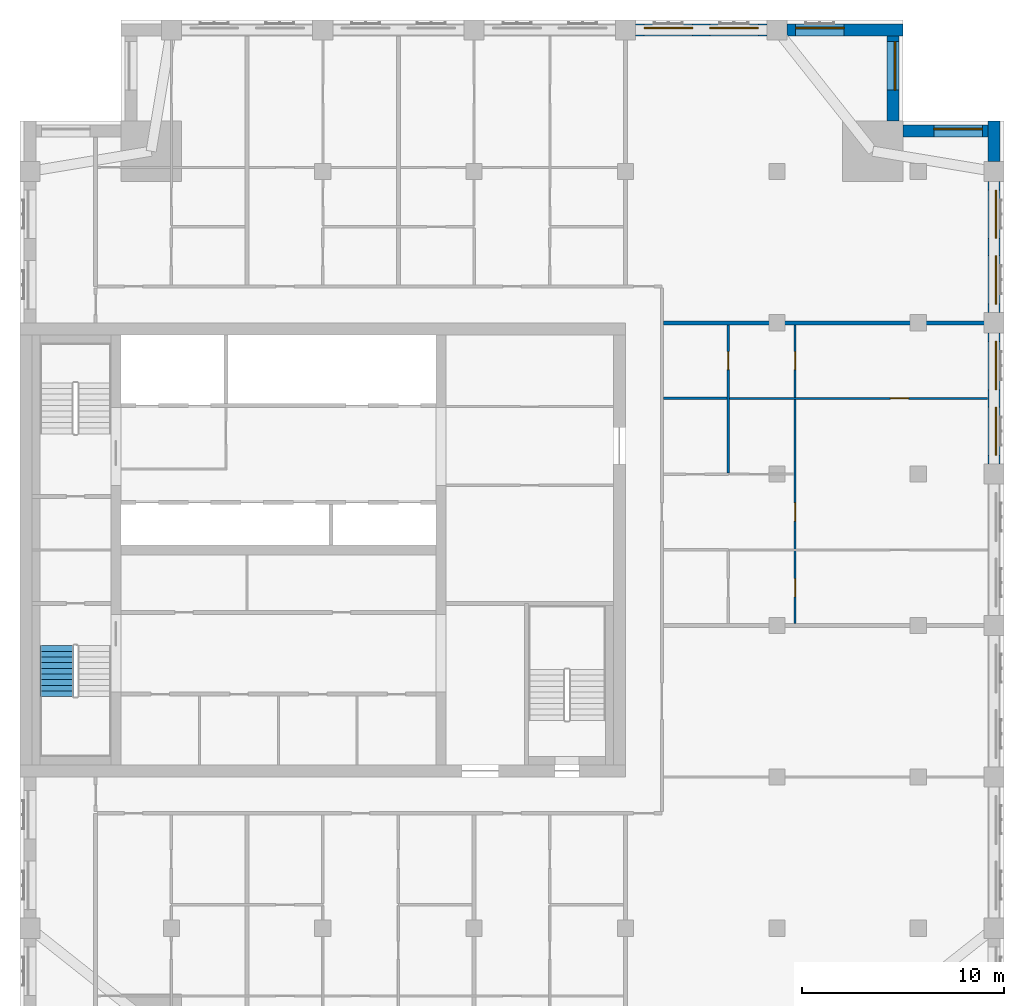
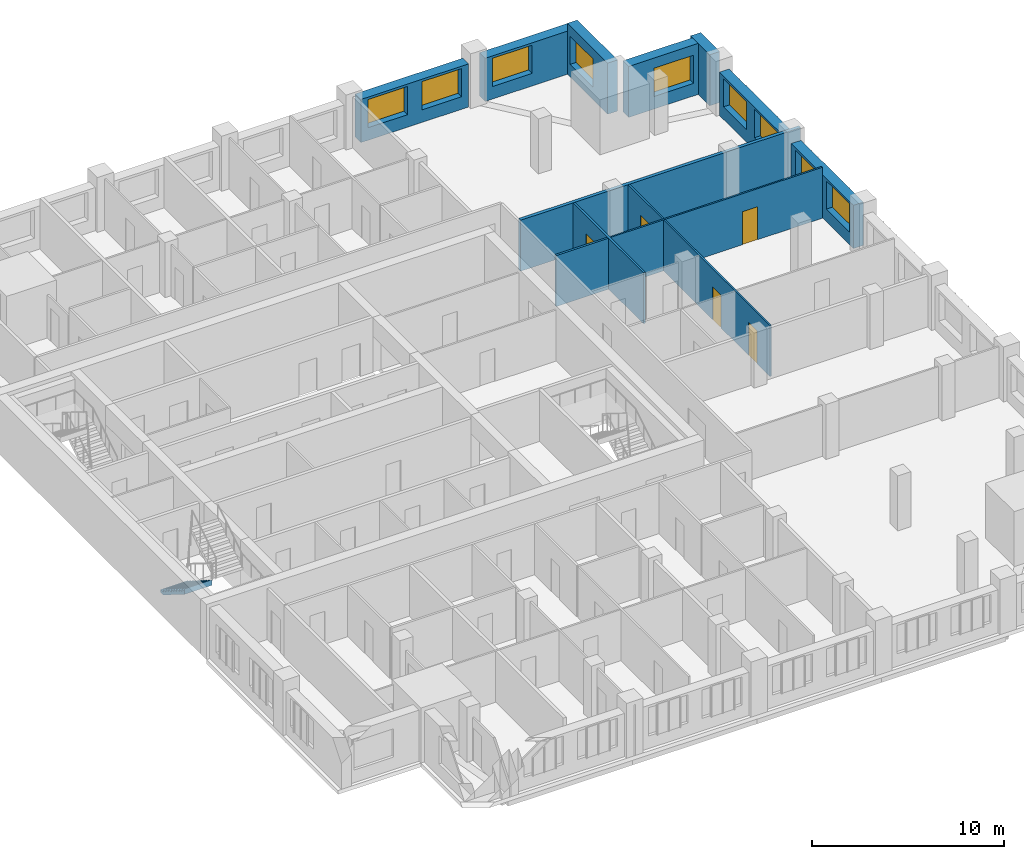
# One storey, part 8 of 11: 12 walls, 9 windows, 5 doors, 1 stair flight, 14 openings, 1 element without a shape of its own.
"""IFC4 building model written with IfcOpenShell, lengths in metres."""

from ifc_helpers import new_model, si_unit, direction, frame, frame_2d, origin, place, context, subcontext, project, spatial, polyline, rectangle, outline, extrude, material, layer, layer_set, type_object, element, fill, aggregate, save


model = new_model("IFC4")

# Units and contexts
model_context = context("Model", 3, precision=1e-05, world=origin(), true_north=direction((0.0, 1.0)))
body_context = subcontext(model_context, "Body", "Model", "MODEL_VIEW")
ifc_project = project(units=[si_unit("LENGTHUNIT", "METRE"), si_unit("AREAUNIT", "SQUARE_METRE"), si_unit("VOLUMEUNIT", "CUBIC_METRE"), si_unit("PLANEANGLEUNIT", "RADIAN"), si_unit("MASSUNIT", "GRAM", prefix="KILO")], contexts=[model_context])

# Site, building, storey
site_placement = place(None, origin())
site = spatial("IfcSite", under=ifc_project, at=site_placement, CompositionType="ELEMENT")
building_placement = place(site_placement, origin())
building = spatial("IfcBuilding", under=site, at=building_placement, Name="Tamorin Gate", CompositionType="ELEMENT")
storey_placement = place(building_placement, frame((0.0, 0.0, 230.199951171875)))
storey = spatial("IfcBuildingStorey", under=building, at=storey_placement, Name="L57", CompositionType="ELEMENT", Elevation=230.199951171875)

# Wall, openings, windows
ifc_material_1 = material(Name="Precast concrete C40/50", Category="concrete")
ifc_layer_1 = layer(ifc_material_1, 0.60009765625)
ifc_layer_set_1 = layer_set([ifc_layer_1], Name="Precast concrete C40/50")
wall_type_1 = type_object("IfcWallType", Name="Board-marked concrete facade panel 600", PredefinedType="SOLIDWALL", material=ifc_layer_set_1)
wall_1_placement = place(storey_placement, frame((78.25, 75.5, 0.0), z_axis=(0.0, 0.0, 1.0), x_axis=(0.0, 1.0, 0.0)))
wall_1 = element("IfcWall", 1, at=wall_1_placement, inside=storey, type_object=wall_type_1, Name="Facade panel", PredefinedType="SOLIDWALL", context=body_context, shape_type="SweptSolid", body=[
    extrude(rectangle(XDim=6.5, YDim=0.60009765625, at=frame_2d((3.25, 0.0))), origin(), (0.0, 0.0, 1.0), 2.75),
])
opening_1_placement = place(wall_1_placement, frame((0.425048828125, 0.0, 0.800048828125)))
opening_1 = element("IfcOpeningElement", 2, at=opening_1_placement, cuts=wall_1, Name="Opening WN1", PredefinedType="OPENING", context=body_context, shape_type="SweptSolid", body=[
    extrude(rectangle(XDim=2.39990234375, YDim=1.800048828125, at=frame_2d((1.199951171875, 0.89990234375))), frame((0.0, 0.31005859375, 0.0), z_axis=(0.0, -1.0, 0.0), x_axis=(1.0, 0.0, 0.0)), (0.0, 0.0, 1.0), 0.6201171875),
])
opening_2_placement = place(wall_1_placement, frame((3.675048828125, 0.0, 0.800048828125)))
opening_2 = element("IfcOpeningElement", 3, at=opening_2_placement, cuts=wall_1, Name="Opening WN1", PredefinedType="OPENING", context=body_context, shape_type="SweptSolid", body=[
    extrude(rectangle(XDim=2.39990234375, YDim=1.800048828125, at=frame_2d((1.199951171875, 0.89990234375))), frame((0.0, 0.31005859375, 0.0), z_axis=(0.0, -1.0, 0.0), x_axis=(1.0, 0.0, 0.0)), (0.0, 0.0, 1.0), 0.6201171875),
])
ifc_material_2 = material(Name="Clear glass in aluminium frame", Category="aluminium")
window_type = type_object("IfcWindowType", Name="Deep-set window 2400x1800", PartitioningType="SINGLE_PANEL", PredefinedType="WINDOW", material=ifc_material_2)
window_1_placement = place(opening_1_placement, origin())
window_1 = element("IfcWindow", 4, at=window_1_placement, inside=storey, type_object=window_type, Name="Deep-set window", OverallHeight=1.800048828125, OverallWidth=2.39990234375, PartitioningType="SINGLE_PANEL", PredefinedType="WINDOW", context=body_context, shape_type="SweptSolid", body=[
    extrude(rectangle(XDim=2.39990234375, YDim=1.800048828125, at=frame_2d((1.199951171875, 0.89990234375))), frame((0.0, -0.070068359375, 0.0), z_axis=(0.0, -1.0, 0.0), x_axis=(1.0, 0.0, 0.0)), (0.0, 0.0, 1.0), 0.06005859375),
])
fill(opening_1, window_1)
window_2_placement = place(opening_2_placement, origin())
window_2 = element("IfcWindow", 5, at=window_2_placement, inside=storey, type_object=window_type, Name="Deep-set window", OverallHeight=1.800048828125, OverallWidth=2.39990234375, PartitioningType="SINGLE_PANEL", PredefinedType="WINDOW", context=body_context, shape_type="SweptSolid", body=[
    extrude(rectangle(XDim=2.39990234375, YDim=1.800048828125, at=frame_2d((1.199951171875, 0.89990234375))), frame((0.0, -0.070068359375, 0.0), z_axis=(0.0, -1.0, 0.0), x_axis=(1.0, 0.0, 0.0)), (0.0, 0.0, 1.0), 0.06005859375),
])
fill(opening_2, window_2)

wall_2_placement = place(storey_placement, frame((78.25, 83.0, 0.0), z_axis=(0.0, 0.0, 1.0), x_axis=(0.0, 1.0, 0.0)))
wall_2 = element("IfcWall", 6, at=wall_2_placement, inside=storey, type_object=wall_type_1, Name="Facade panel", PredefinedType="SOLIDWALL", context=body_context, shape_type="SweptSolid", body=[
    extrude(rectangle(XDim=6.5, YDim=0.60009765625, at=frame_2d((3.25, 0.0))), origin(), (0.0, 0.0, 1.0), 2.75),
])
opening_3_placement = place(wall_2_placement, frame((0.425048828125, 0.0, 0.800048828125)))
opening_3 = element("IfcOpeningElement", 7, at=opening_3_placement, cuts=wall_2, Name="Opening WN1", PredefinedType="OPENING", context=body_context, shape_type="SweptSolid", body=[
    extrude(rectangle(XDim=2.39990234375, YDim=1.800048828125, at=frame_2d((1.199951171875, 0.89990234375))), frame((0.0, 0.31005859375, 0.0), z_axis=(0.0, -1.0, 0.0), x_axis=(1.0, 0.0, 0.0)), (0.0, 0.0, 1.0), 0.6201171875),
])
opening_4_placement = place(wall_2_placement, frame((3.675048828125, 0.0, 0.800048828125)))
opening_4 = element("IfcOpeningElement", 8, at=opening_4_placement, cuts=wall_2, Name="Opening WN1", PredefinedType="OPENING", context=body_context, shape_type="SweptSolid", body=[
    extrude(rectangle(XDim=2.39990234375, YDim=1.800048828125, at=frame_2d((1.199951171875, 0.89990234375))), frame((0.0, 0.31005859375, 0.0), z_axis=(0.0, -1.0, 0.0), x_axis=(1.0, 0.0, 0.0)), (0.0, 0.0, 1.0), 0.6201171875),
])
window_3_placement = place(opening_3_placement, origin())
window_3 = element("IfcWindow", 9, at=window_3_placement, inside=storey, type_object=window_type, Name="Deep-set window", OverallHeight=1.800048828125, OverallWidth=2.39990234375, PartitioningType="SINGLE_PANEL", PredefinedType="WINDOW", context=body_context, shape_type="SweptSolid", body=[
    extrude(rectangle(XDim=2.39990234375, YDim=1.800048828125, at=frame_2d((1.199951171875, 0.89990234375))), frame((0.0, -0.070068359375, 0.0), z_axis=(0.0, -1.0, 0.0), x_axis=(1.0, 0.0, 0.0)), (0.0, 0.0, 1.0), 0.06005859375),
])
fill(opening_3, window_3)
window_4_placement = place(opening_4_placement, origin())
window_4 = element("IfcWindow", 10, at=window_4_placement, inside=storey, type_object=window_type, Name="Deep-set window", OverallHeight=1.800048828125, OverallWidth=2.39990234375, PartitioningType="SINGLE_PANEL", PredefinedType="WINDOW", context=body_context, shape_type="SweptSolid", body=[
    extrude(rectangle(XDim=2.39990234375, YDim=1.800048828125, at=frame_2d((1.199951171875, 0.89990234375))), frame((0.0, -0.070068359375, 0.0), z_axis=(0.0, -1.0, 0.0), x_axis=(1.0, 0.0, 0.0)), (0.0, 0.0, 1.0), 0.06005859375),
])
fill(opening_4, window_4)

# Wall
wall_3_placement = place(storey_placement, frame((78.25, 90.5, 0.0), z_axis=(0.0, 0.0, 1.0), x_axis=(0.0, 1.0, 0.0)))
element("IfcWall", 11, at=wall_3_placement, inside=storey, type_object=wall_type_1, Name="Facade panel", PredefinedType="SOLIDWALL", context=body_context, shape_type="SweptSolid", body=[
    extrude(rectangle(XDim=2.0, YDim=0.60009765625, at=frame_2d((1.0, 0.0))), origin(), (0.0, 0.0, 1.0), 3.25),
])

# Wall, opening, window
wall_4_placement = place(storey_placement, frame((77.949951171875, 92.0, 0.0), z_axis=(0.0, 0.0, 1.0), x_axis=(-1.0, 0.0, 0.0)))
wall_4 = element("IfcWall", 12, at=wall_4_placement, inside=storey, type_object=wall_type_1, Name="Facade panel", PredefinedType="SOLIDWALL", context=body_context, shape_type="SweptSolid", body=[
    extrude(rectangle(XDim=4.199951171875, YDim=0.60009765625, at=frame_2d((2.10009765625, 0.0))), origin(), (0.0, 0.0, 1.0), 3.25),
])
opening_5_placement = place(wall_4_placement, frame((0.27490234375, 0.0, 0.800048828125)))
opening_5 = element("IfcOpeningElement", 13, at=opening_5_placement, cuts=wall_4, Name="Opening WN1", PredefinedType="OPENING", context=body_context, shape_type="SweptSolid", body=[
    extrude(rectangle(XDim=2.39990234375, YDim=1.800048828125, at=frame_2d((1.199951171875, 0.89990234375))), frame((0.0, 0.31005859375, 0.0), z_axis=(0.0, -1.0, 0.0), x_axis=(1.0, 0.0, 0.0)), (0.0, 0.0, 1.0), 0.6201171875),
])
window_5_placement = place(opening_5_placement, origin())
window_5 = element("IfcWindow", 14, at=window_5_placement, inside=storey, type_object=window_type, Name="Deep-set window", OverallHeight=1.800048828125, OverallWidth=2.39990234375, PartitioningType="SINGLE_PANEL", PredefinedType="WINDOW", context=body_context, shape_type="SweptSolid", body=[
    extrude(rectangle(XDim=2.39990234375, YDim=1.800048828125, at=frame_2d((1.199951171875, 0.89990234375))), frame((0.0, -0.070068359375, 0.0), z_axis=(0.0, -1.0, 0.0), x_axis=(1.0, 0.0, 0.0)), (0.0, 0.0, 1.0), 0.06005859375),
])
fill(opening_5, window_5)

wall_5_placement = place(storey_placement, frame((73.25, 92.5, 0.0), z_axis=(0.0, 0.0, 1.0), x_axis=(0.0, 1.0, 0.0)))
wall_5 = element("IfcWall", 15, at=wall_5_placement, inside=storey, type_object=wall_type_1, Name="Facade panel", PredefinedType="SOLIDWALL", context=body_context, shape_type="SweptSolid", body=[
    extrude(rectangle(XDim=4.199951171875, YDim=0.60009765625, at=frame_2d((2.10009765625, 0.0))), origin(), (0.0, 0.0, 1.0), 3.25),
])
opening_6_placement = place(wall_5_placement, frame((1.52490234375, 0.0, 0.800048828125)))
opening_6 = element("IfcOpeningElement", 16, at=opening_6_placement, cuts=wall_5, Name="Opening WN1", PredefinedType="OPENING", context=body_context, shape_type="SweptSolid", body=[
    extrude(rectangle(XDim=2.39990234375, YDim=1.800048828125, at=frame_2d((1.199951171875, 0.89990234375))), frame((0.0, 0.31005859375, 0.0), z_axis=(0.0, -1.0, 0.0), x_axis=(1.0, 0.0, 0.0)), (0.0, 0.0, 1.0), 0.6201171875),
])
window_6_placement = place(opening_6_placement, origin())
window_6 = element("IfcWindow", 17, at=window_6_placement, inside=storey, type_object=window_type, Name="Deep-set window", OverallHeight=1.800048828125, OverallWidth=2.39990234375, PartitioningType="SINGLE_PANEL", PredefinedType="WINDOW", context=body_context, shape_type="SweptSolid", body=[
    extrude(rectangle(XDim=2.39990234375, YDim=1.800048828125, at=frame_2d((1.199951171875, 0.89990234375))), frame((0.0, -0.070068359375, 0.0), z_axis=(0.0, -1.0, 0.0), x_axis=(1.0, 0.0, 0.0)), (0.0, 0.0, 1.0), 0.06005859375),
])
fill(opening_6, window_6)

wall_6_placement = place(storey_placement, frame((73.75, 97.0, 0.0), z_axis=(0.0, 0.0, 1.0), x_axis=(-1.0, 0.0, 0.0)))
wall_6 = element("IfcWall", 18, at=wall_6_placement, inside=storey, type_object=wall_type_1, Name="Facade panel", PredefinedType="SOLIDWALL", context=body_context, shape_type="SweptSolid", body=[
    extrude(rectangle(XDim=5.75, YDim=0.60009765625, at=frame_2d((2.875, 0.0))), origin(), (0.0, 0.0, 1.0), 2.75),
])
opening_7_placement = place(wall_6_placement, frame((2.925048828125, 0.0, 0.800048828125)))
opening_7 = element("IfcOpeningElement", 19, at=opening_7_placement, cuts=wall_6, Name="Opening WN1", PredefinedType="OPENING", context=body_context, shape_type="SweptSolid", body=[
    extrude(rectangle(XDim=2.39990234375, YDim=1.800048828125, at=frame_2d((1.199951171875, 0.89990234375))), frame((0.0, 0.31005859375, 0.0), z_axis=(0.0, -1.0, 0.0), x_axis=(1.0, 0.0, 0.0)), (0.0, 0.0, 1.0), 0.6201171875),
])
window_7_placement = place(opening_7_placement, origin())
window_7 = element("IfcWindow", 20, at=window_7_placement, inside=storey, type_object=window_type, Name="Deep-set window", OverallHeight=1.800048828125, OverallWidth=2.39990234375, PartitioningType="SINGLE_PANEL", PredefinedType="WINDOW", context=body_context, shape_type="SweptSolid", body=[
    extrude(rectangle(XDim=2.39990234375, YDim=1.800048828125, at=frame_2d((1.199951171875, 0.89990234375))), frame((0.0, -0.070068359375, 0.0), z_axis=(0.0, -1.0, 0.0), x_axis=(1.0, 0.0, 0.0)), (0.0, 0.0, 1.0), 0.06005859375),
])
fill(opening_7, window_7)

# Wall, openings, windows
wall_7_placement = place(storey_placement, frame((67.0, 97.0, 0.0), z_axis=(0.0, 0.0, 1.0), x_axis=(-1.0, 0.0, 0.0)))
wall_7 = element("IfcWall", 21, at=wall_7_placement, inside=storey, type_object=wall_type_1, Name="Facade panel", PredefinedType="SOLIDWALL", context=body_context, shape_type="SweptSolid", body=[
    extrude(rectangle(XDim=6.5, YDim=0.60009765625, at=frame_2d((3.25, 0.0))), origin(), (0.0, 0.0, 1.0), 2.75),
])
opening_8_placement = place(wall_7_placement, frame((3.675048828125, 0.0, 0.800048828125)))
opening_8 = element("IfcOpeningElement", 22, at=opening_8_placement, cuts=wall_7, Name="Opening WN1", PredefinedType="OPENING", context=body_context, shape_type="SweptSolid", body=[
    extrude(rectangle(XDim=2.39990234375, YDim=1.800048828125, at=frame_2d((1.199951171875, 0.89990234375))), frame((0.0, 0.31005859375, 0.0), z_axis=(0.0, -1.0, 0.0), x_axis=(1.0, 0.0, 0.0)), (0.0, 0.0, 1.0), 0.6201171875),
])
opening_9_placement = place(wall_7_placement, frame((0.425048828125, 0.0, 0.800048828125)))
opening_9 = element("IfcOpeningElement", 23, at=opening_9_placement, cuts=wall_7, Name="Opening WN1", PredefinedType="OPENING", context=body_context, shape_type="SweptSolid", body=[
    extrude(rectangle(XDim=2.39990234375, YDim=1.800048828125, at=frame_2d((1.199951171875, 0.89990234375))), frame((0.0, 0.31005859375, 0.0), z_axis=(0.0, -1.0, 0.0), x_axis=(1.0, 0.0, 0.0)), (0.0, 0.0, 1.0), 0.6201171875),
])
window_8_placement = place(opening_8_placement, origin())
window_8 = element("IfcWindow", 24, at=window_8_placement, inside=storey, type_object=window_type, Name="Deep-set window", OverallHeight=1.800048828125, OverallWidth=2.39990234375, PartitioningType="SINGLE_PANEL", PredefinedType="WINDOW", context=body_context, shape_type="SweptSolid", body=[
    extrude(rectangle(XDim=2.39990234375, YDim=1.800048828125, at=frame_2d((1.199951171875, 0.89990234375))), frame((0.0, -0.070068359375, 0.0), z_axis=(0.0, -1.0, 0.0), x_axis=(1.0, 0.0, 0.0)), (0.0, 0.0, 1.0), 0.06005859375),
])
fill(opening_8, window_8)
window_9_placement = place(opening_9_placement, origin())
window_9 = element("IfcWindow", 25, at=window_9_placement, inside=storey, type_object=window_type, Name="Deep-set window", OverallHeight=1.800048828125, OverallWidth=2.39990234375, PartitioningType="SINGLE_PANEL", PredefinedType="WINDOW", context=body_context, shape_type="SweptSolid", body=[
    extrude(rectangle(XDim=2.39990234375, YDim=1.800048828125, at=frame_2d((1.199951171875, 0.89990234375))), frame((0.0, -0.070068359375, 0.0), z_axis=(0.0, -1.0, 0.0), x_axis=(1.0, 0.0, 0.0)), (0.0, 0.0, 1.0), 0.06005859375),
])
fill(opening_9, window_9)

# Wall
ifc_material_3 = material(Name="Gypsum board partition")
ifc_layer_2 = layer(ifc_material_3, 0.199951171875)
ifc_layer_set_2 = layer_set([ifc_layer_2], Name="Demising wall 200")
wall_type_2 = type_object("IfcWallType", Name="Demising wall 200", PredefinedType="PARTITIONING", material=ifc_layer_set_2)
wall_8_placement = place(storey_placement, frame((61.875, 82.5, 0.0), z_axis=(0.0, 0.0, 1.0), x_axis=(1.0, 0.0, 0.0)))
element("IfcWall", 26, at=wall_8_placement, inside=storey, type_object=wall_type_2, Name="Demising wall 200", PredefinedType="PARTITIONING", context=body_context, shape_type="SweptSolid", body=[
    extrude(rectangle(XDim=16.875, YDim=0.199951171875, at=frame_2d((8.4375, 0.0))), origin(), (0.0, 0.0, 1.0), 3.25),
])

# Wall, opening, door
ifc_layer_3 = layer(ifc_material_3, 0.10009765625)
ifc_layer_set_3 = layer_set([ifc_layer_3], Name="Room partition 100")
wall_type_3 = type_object("IfcWallType", Name="Room partition 100", PredefinedType="PARTITIONING", material=ifc_layer_set_3)
wall_9_placement = place(storey_placement, frame((65.16259765625, 78.75, 0.0), z_axis=(0.0, 0.0, 1.0), x_axis=(1.0, 0.0, 0.0)))
wall_9 = element("IfcWall", 27, at=wall_9_placement, inside=storey, type_object=wall_type_3, Name="Room partition 100", PredefinedType="PARTITIONING", context=body_context, shape_type="SweptSolid", body=[
    extrude(rectangle(XDim=12.77734375, YDim=0.10009765625, at=frame_2d((6.388671875, 0.0))), origin(), (0.0, 0.0, 1.0), 3.25),
])
opening_10_placement = place(wall_9_placement, frame((7.96240234375, 0.0, 0.0)))
opening_10 = element("IfcOpeningElement", 28, at=opening_10_placement, cuts=wall_9, Name="Opening DR7051", PredefinedType="OPENING", context=body_context, shape_type="SweptSolid", body=[
    extrude(rectangle(XDim=0.89990234375, YDim=2.10009765625, at=frame_2d((0.449951171875, 1.050048828125))), frame((0.0, 0.06005859375, 0.0), z_axis=(0.0, -1.0, 0.0), x_axis=(1.0, 0.0, 0.0)), (0.0, 0.0, 1.0), 0.1201171875),
])
ifc_material_4 = material(Name="Timber door leaf", Category="wood")
door_type = type_object("IfcDoorType", Name="Door 900 x 2100", OperationType="NOTDEFINED", PredefinedType="DOOR", material=ifc_material_4)
door_1_placement = place(opening_10_placement, origin())
door_1 = element("IfcDoor", 29, at=door_1_placement, inside=storey, type_object=door_type, Name="Door DR7051", OperationType="SINGLE_SWING_LEFT", OverallHeight=2.10009765625, OverallWidth=0.89990234375, PredefinedType="DOOR", context=body_context, shape_type="SweptSolid", body=[
    extrude(rectangle(XDim=0.89990234375, YDim=2.10009765625, at=frame_2d((0.449951171875, 1.050048828125))), frame((0.0, 0.02490234375, 0.0), z_axis=(0.0, -1.0, 0.0), x_axis=(1.0, 0.0, 0.0)), (0.0, 0.0, 1.0), 0.050048828125),
])
fill(opening_10, door_1)

# Wall, openings, doors
wall_10_placement = place(storey_placement, frame((68.39990234375, 67.60009765625, 0.0), z_axis=(0.0, 0.0, 1.0), x_axis=(0.0, 1.0, 0.0)))
wall_10 = element("IfcWall", 30, at=wall_10_placement, inside=storey, type_object=wall_type_3, Name="Room partition 100", PredefinedType="PARTITIONING", context=body_context, shape_type="SweptSolid", body=[
    extrude(rectangle(XDim=14.7998046875, YDim=0.10009765625, at=frame_2d((7.39990234375, 0.0))), origin(), (0.0, 0.0, 1.0), 3.25),
])
opening_11_placement = place(wall_10_placement, frame((1.324951171875, 0.0, 0.0)))
opening_11 = element("IfcOpeningElement", 31, at=opening_11_placement, cuts=wall_10, Name="Opening DR7042", PredefinedType="OPENING", context=body_context, shape_type="SweptSolid", body=[
    extrude(rectangle(XDim=0.89990234375, YDim=2.10009765625, at=frame_2d((0.449951171875, 1.050048828125))), frame((0.0, 0.06005859375, 0.0), z_axis=(0.0, -1.0, 0.0), x_axis=(1.0, 0.0, 0.0)), (0.0, 0.0, 1.0), 0.1201171875),
])
opening_12_placement = place(wall_10_placement, frame((5.074951171875, 0.0, 0.0)))
opening_12 = element("IfcOpeningElement", 32, at=opening_12_placement, cuts=wall_10, Name="Opening DR7045", PredefinedType="OPENING", context=body_context, shape_type="SweptSolid", body=[
    extrude(rectangle(XDim=0.89990234375, YDim=2.10009765625, at=frame_2d((0.449951171875, 1.050048828125))), frame((0.0, 0.06005859375, 0.0), z_axis=(0.0, -1.0, 0.0), x_axis=(1.0, 0.0, 0.0)), (0.0, 0.0, 1.0), 0.1201171875),
])
opening_13_placement = place(wall_10_placement, frame((12.574951171875, 0.0, 0.0)))
opening_13 = element("IfcOpeningElement", 33, at=opening_13_placement, cuts=wall_10, Name="Opening DR7048", PredefinedType="OPENING", context=body_context, shape_type="SweptSolid", body=[
    extrude(rectangle(XDim=0.89990234375, YDim=2.10009765625, at=frame_2d((0.449951171875, 1.050048828125))), frame((0.0, 0.06005859375, 0.0), z_axis=(0.0, -1.0, 0.0), x_axis=(1.0, 0.0, 0.0)), (0.0, 0.0, 1.0), 0.1201171875),
])
door_2_placement = place(opening_11_placement, origin())
door_2 = element("IfcDoor", 34, at=door_2_placement, inside=storey, type_object=door_type, Name="Door DR7042", OperationType="SINGLE_SWING_LEFT", OverallHeight=2.10009765625, OverallWidth=0.89990234375, PredefinedType="DOOR", context=body_context, shape_type="SweptSolid", body=[
    extrude(rectangle(XDim=0.89990234375, YDim=2.10009765625, at=frame_2d((0.449951171875, 1.050048828125))), frame((0.0, 0.02490234375, 0.0), z_axis=(0.0, -1.0, 0.0), x_axis=(1.0, 0.0, 0.0)), (0.0, 0.0, 1.0), 0.050048828125),
])
fill(opening_11, door_2)
door_3_placement = place(opening_12_placement, origin())
door_3 = element("IfcDoor", 35, at=door_3_placement, inside=storey, type_object=door_type, Name="Door DR7045", OperationType="SINGLE_SWING_LEFT", OverallHeight=2.10009765625, OverallWidth=0.89990234375, PredefinedType="DOOR", context=body_context, shape_type="SweptSolid", body=[
    extrude(rectangle(XDim=0.89990234375, YDim=2.10009765625, at=frame_2d((0.449951171875, 1.050048828125))), frame((0.0, 0.02490234375, 0.0), z_axis=(0.0, -1.0, 0.0), x_axis=(1.0, 0.0, 0.0)), (0.0, 0.0, 1.0), 0.050048828125),
])
fill(opening_12, door_3)
door_4_placement = place(opening_13_placement, origin())
door_4 = element("IfcDoor", 36, at=door_4_placement, inside=storey, type_object=door_type, Name="Door DR7048", OperationType="SINGLE_SWING_LEFT", OverallHeight=2.10009765625, OverallWidth=0.89990234375, PredefinedType="DOOR", context=body_context, shape_type="SweptSolid", body=[
    extrude(rectangle(XDim=0.89990234375, YDim=2.10009765625, at=frame_2d((0.449951171875, 1.050048828125))), frame((0.0, 0.02490234375, 0.0), z_axis=(0.0, -1.0, 0.0), x_axis=(1.0, 0.0, 0.0)), (0.0, 0.0, 1.0), 0.050048828125),
])
fill(opening_13, door_4)

# Wall
ifc_layer_4 = layer(ifc_material_3, 0.125)
ifc_layer_set_4 = layer_set([ifc_layer_4], Name="Wet wall 125")
wall_type_4 = type_object("IfcWallType", Name="Wet wall 125", PredefinedType="PARTITIONING", material=ifc_layer_set_4)
wall_11_placement = place(storey_placement, frame((61.875, 78.75, 0.0), z_axis=(0.0, 0.0, 1.0), x_axis=(1.0, 0.0, 0.0)))
element("IfcWall", 37, at=wall_11_placement, inside=storey, type_object=wall_type_4, Name="Wet wall 125", PredefinedType="PARTITIONING", context=body_context, shape_type="SweptSolid", body=[
    extrude(rectangle(XDim=3.16259765625, YDim=0.125, at=frame_2d((1.581298828125, 0.0))), origin(), (0.0, 0.0, 1.0), 3.25),
])

# Wall, opening, door
wall_12_placement = place(storey_placement, frame((65.10009765625, 75.0625, 0.0), z_axis=(0.0, 0.0, 1.0), x_axis=(0.0, 1.0, 0.0)))
wall_12 = element("IfcWall", 38, at=wall_12_placement, inside=storey, type_object=wall_type_4, Name="Wet wall 125", PredefinedType="PARTITIONING", context=body_context, shape_type="SweptSolid", body=[
    extrude(rectangle(XDim=7.33740234375, YDim=0.125, at=frame_2d((3.668701171875, 0.0))), origin(), (0.0, 0.0, 1.0), 3.25),
])
opening_14_placement = place(wall_12_placement, frame((5.112548828125, 0.0, 0.0)))
opening_14 = element("IfcOpeningElement", 39, at=opening_14_placement, cuts=wall_12, Name="Opening DR7049", PredefinedType="OPENING", context=body_context, shape_type="SweptSolid", body=[
    extrude(rectangle(XDim=0.89990234375, YDim=2.10009765625, at=frame_2d((0.449951171875, 1.050048828125))), frame((0.0, 0.072509765625, 0.0), z_axis=(0.0, -1.0, 0.0), x_axis=(1.0, 0.0, 0.0)), (0.0, 0.0, 1.0), 0.14501953125),
])
door_5_placement = place(opening_14_placement, origin())
door_5 = element("IfcDoor", 40, at=door_5_placement, inside=storey, type_object=door_type, Name="Door DR7049", OperationType="SINGLE_SWING_LEFT", OverallHeight=2.10009765625, OverallWidth=0.89990234375, PredefinedType="DOOR", context=body_context, shape_type="SweptSolid", body=[
    extrude(rectangle(XDim=0.89990234375, YDim=2.10009765625, at=frame_2d((0.449951171875, 1.050048828125))), frame((0.0, 0.02490234375, 0.0), z_axis=(0.0, -1.0, 0.0), x_axis=(1.0, 0.0, 0.0)), (0.0, 0.0, 1.0), 0.050048828125),
])
fill(opening_14, door_5)

# Stair, stair flight
ifc_material_5 = material(Name="Concrete C40/50", Category="concrete")
stair_type = type_object("IfcStairType", Name="Exit stair", PredefinedType="HALF_TURN_STAIR", material=ifc_material_5)
stair_placement = place(storey_placement, origin())
stair = element("IfcStair", 41, at=stair_placement, inside=storey, type_object=stair_type, Name="L57 stair ST1", PredefinedType="HALF_TURN_STAIR")
stair_flight_type = type_object("IfcStairFlightType", Name="Exit stair flight", PredefinedType="STRAIGHT", material=ifc_material_5)
stair_flight_placement = place(storey_placement, frame((31.824951171875, 66.5, 0.0), z_axis=(0.0, 0.0, 1.0), x_axis=(0.0, -1.0, 0.0)))
stair_flight = element("IfcStairFlight", 42, at=stair_flight_placement, type_object=stair_flight_type, Name="ST1 flight 1", NumberOfRisers=10, NumberOfTreads=9, PredefinedType="STRAIGHT", RiserHeight=0.175, TreadLength=0.28, context=body_context, shape_type="SweptSolid", body=[
    extrude(outline(polyline([(-0.00048828125, 0.0), (-0.00048828125, 0.001708984375), (-0.00048828125, 0.00341796875), (-0.00048828125, 0.005126953125), (-0.00048828125, 0.0068359375), (-0.00048828125, 0.008544921875), (-0.00048828125, 0.010498046875), (-0.00048828125, 0.01220703125), (-0.00048828125, 0.013916015625), (-0.00048828125, 0.015625), (-0.00048828125, 0.017333984375), (-0.00048828125, 0.01904296875), (-0.00048828125, 0.020751953125), (-0.00048828125, 0.0224609375), (-0.00048828125, 0.024169921875), (-0.00048828125, 0.02587890625), (-0.00048828125, 0.02783203125), (-0.00048828125, 0.029541015625), (-0.00048828125, 0.03125), (-0.00048828125, 0.032958984375), (-0.00048828125, 0.03466796875), (-0.00048828125, 0.036376953125), (-0.00048828125, 0.0380859375), (-0.00048828125, 0.039794921875), (-0.00048828125, 0.04150390625), (-0.00048828125, 0.043212890625), (-0.00048828125, 0.045166015625), (-0.00048828125, 0.046875), (-0.00048828125, 0.048583984375), (-0.00048828125, 0.05029296875), (-0.00048828125, 0.052001953125), (-0.00048828125, 0.0537109375), (-0.00048828125, 0.055419921875), (-0.00048828125, 0.05712890625), (-0.00048828125, 0.058837890625), (-0.00048828125, 0.060546875), (-0.00048828125, 0.062255859375), (-0.00048828125, 0.064208984375), (-0.00048828125, 0.06591796875), (-0.00048828125, 0.067626953125), (-0.00048828125, 0.0693359375), (-0.00048828125, 0.071044921875), (-0.00048828125, 0.07275390625), (-0.00048828125, 0.074462890625), (-0.00048828125, 0.076171875), (-0.00048828125, 0.077880859375), (-0.00048828125, 0.07958984375), (-0.00048828125, 0.08154296875), (-0.00048828125, 0.083251953125), (-0.00048828125, 0.0849609375), (-0.00048828125, 0.086669921875), (-0.00048828125, 0.08837890625), (-0.00048828125, 0.090087890625), (-0.00048828125, 0.091796875), (-0.00048828125, 0.093505859375), (-0.00048828125, 0.09521484375), (-0.00048828125, 0.096923828125), (-0.00048828125, 0.098876953125), (-0.00048828125, 0.1005859375), (-0.00048828125, 0.102294921875), (-0.00048828125, 0.10400390625), (-0.00048828125, 0.105712890625), (-0.00048828125, 0.107421875), (-0.00048828125, 0.109130859375), (-0.00048828125, 0.11083984375), (-0.00048828125, 0.112548828125), (-0.00048828125, 0.1142578125), (-0.00048828125, 0.1162109375), (-0.00048828125, 0.117919921875), (-0.00048828125, 0.11962890625), (-0.00048828125, 0.121337890625), (-0.00048828125, 0.123046875), (-0.00048828125, 0.124755859375), (-0.00048828125, 0.12646484375), (-0.00048828125, 0.128173828125), (-0.00048828125, 0.1298828125), (-0.00048828125, 0.131591796875), (-0.00048828125, 0.13330078125), (-0.00048828125, 0.13525390625), (-0.00048828125, 0.136962890625), (-0.00048828125, 0.138671875), (-0.00048828125, 0.140380859375), (-0.00048828125, 0.14208984375), (-0.00048828125, 0.143798828125), (-0.00048828125, 0.1455078125), (-0.00048828125, 0.147216796875), (-0.00048828125, 0.14892578125), (-0.00048828125, 0.150634765625), (-0.00048828125, 0.152587890625), (-0.00048828125, 0.154296875), (-0.00048828125, 0.156005859375), (-0.00048828125, 0.15771484375), (-0.00048828125, 0.159423828125), (-0.00048828125, 0.1611328125), (-0.00048828125, 0.162841796875), (-0.00048828125, 0.16455078125), (-0.00048828125, 0.166259765625), (-0.00048828125, 0.16796875), (-0.00048828125, 0.169921875), (-0.00048828125, 0.171630859375), (-0.00048828125, 0.17333984375), (-0.00048828125, 0.175048828125), (0.280029296875, 0.175048828125), (0.280029296875, 0.35009765625), (0.56005859375, 0.35009765625), (0.56005859375, 0.52490234375), (0.840087890625, 0.52490234375), (0.840087890625, 0.699951171875), (1.1201171875, 0.699951171875), (1.1201171875, 0.875), (1.39990234375, 0.875), (1.39990234375, 1.050048828125), (1.679931640625, 1.050048828125), (1.679931640625, 1.22509765625), (1.9599609375, 1.22509765625), (1.9599609375, 1.39990234375), (2.239990234375, 1.39990234375), (2.239990234375, 1.574951171875), (2.52001953125, 1.574951171875), (2.52001953125, 1.75), (2.5205078125, 1.75), (2.5205078125, 1.74658203125), (2.5205078125, 1.742919921875), (2.5205078125, 1.739501953125), (2.5205078125, 1.736083984375), (2.5205078125, 1.732666015625), (2.5205078125, 1.72900390625), (2.5205078125, 1.7255859375), (2.5205078125, 1.72216796875), (2.5205078125, 1.71875), (2.5205078125, 1.715087890625), (2.5205078125, 1.711669921875), (2.5205078125, 1.708251953125), (2.5205078125, 1.704833984375), (2.5205078125, 1.701171875), (2.5205078125, 1.69775390625), (2.5205078125, 1.6943359375), (2.5205078125, 1.690673828125), (2.5205078125, 1.687255859375), (2.5205078125, 1.683837890625), (2.5205078125, 1.680419921875), (2.5205078125, 1.6767578125), (2.5205078125, 1.67333984375), (2.5205078125, 1.669921875), (2.5205078125, 1.66650390625), (2.5205078125, 1.662841796875), (2.5205078125, 1.659423828125), (2.5205078125, 1.656005859375), (2.5205078125, 1.652587890625), (2.5205078125, 1.64892578125), (2.5205078125, 1.6455078125), (2.5205078125, 1.64208984375), (2.5205078125, 1.638427734375), (2.5205078125, 1.635009765625), (2.5205078125, 1.631591796875), (2.5205078125, 1.628173828125), (2.5205078125, 1.62451171875), (2.5205078125, 1.62109375), (2.5205078125, 1.61767578125), (2.5205078125, 1.6142578125), (2.5205078125, 1.610595703125), (2.5205078125, 1.607177734375), (2.5205078125, 1.603759765625), (2.5205078125, 1.600341796875), (2.5205078125, 1.5966796875), (2.5205078125, 1.59326171875), (2.5205078125, 1.58984375), (2.5205078125, 1.58642578125), (2.5205078125, 1.582763671875), (2.5205078125, 1.579345703125), (2.5205078125, 1.575927734375), (2.5205078125, 1.572265625), (2.5205078125, 1.56884765625), (2.5205078125, 1.5654296875), (2.5205078125, 1.56201171875), (2.5205078125, 1.558349609375), (2.5205078125, 1.554931640625), (2.5205078125, 1.551513671875), (2.5205078125, 1.548095703125), (2.5205078125, 1.54443359375), (2.5205078125, 1.541015625), (2.5205078125, 1.53759765625), (2.5205078125, 1.5341796875), (2.5205078125, 1.530517578125), (2.5205078125, 1.527099609375), (2.5205078125, 1.523681640625), (2.5205078125, 1.52001953125), (2.5205078125, 1.5166015625), (2.5205078125, 1.51318359375), (2.5205078125, 1.509765625), (2.5205078125, 1.506103515625), (2.5205078125, 1.502685546875), (2.5205078125, 1.499267578125), (2.5205078125, 1.495849609375), (2.5205078125, 1.4921875), (2.5205078125, 1.48876953125), (2.5205078125, 1.4853515625), (2.5205078125, 1.48193359375), (2.5205078125, 1.478271484375), (2.5205078125, 1.474853515625), (2.5205078125, 1.471435546875), (2.5205078125, 1.4677734375), (2.5205078125, 1.46435546875), (2.5205078125, 1.4609375), (2.5205078125, 1.45751953125), (2.5205078125, 1.453857421875), (2.5205078125, 1.450439453125), (2.5205078125, 1.447021484375), (2.5205078125, 1.443603515625), (2.5205078125, 1.43994140625), (2.5205078125, 1.4365234375), (2.5205078125, 1.43310546875), (2.5205078125, 1.4296875), (2.5205078125, 1.426025390625), (2.5205078125, 1.422607421875), (2.5205078125, 1.419189453125), (2.5205078125, 1.41552734375), (2.5205078125, 1.412109375), (2.5205078125, 1.40869140625), (2.5205078125, 1.4052734375), (2.5205078125, 1.401611328125), (2.5205078125, 1.398193359375), (2.52001953125, 1.398193359375), (0.28271484375, 0.0), (-0.00048828125, 0.0)])), frame((0.0, 0.824951171875, 0.0), z_axis=(0.0, -1.0, 0.0), x_axis=(1.0, 0.0, 0.0)), (0.0, 0.0, 1.0), 1.64990234375),
])
aggregate(stair, [stair_flight])

save(model, "model.ifc")
